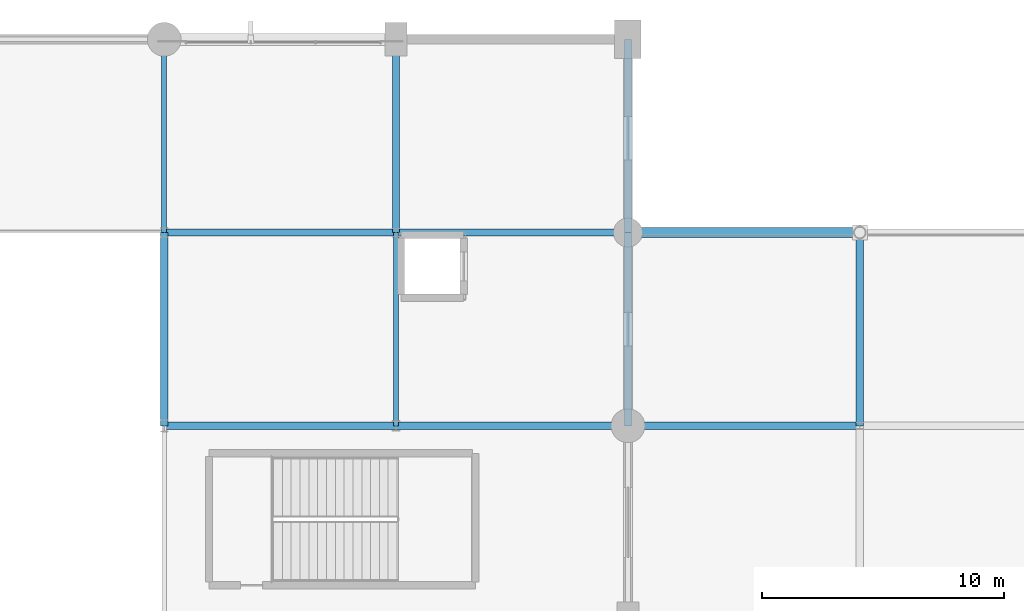
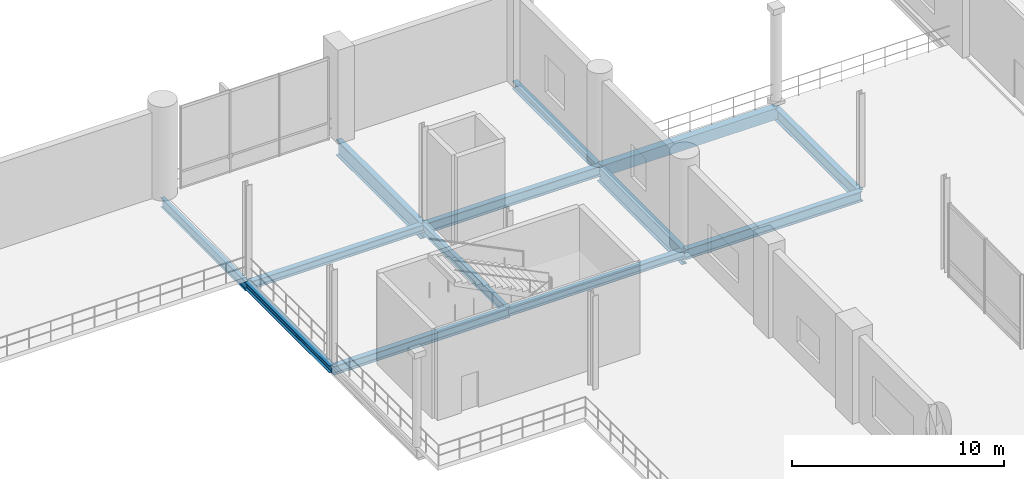
# One storey, part 66 of 129: 13 beams.
"""IFC4 building model written with IfcOpenShell, lengths in metres."""

import ifcopenshell
import ifcopenshell.guid

model = None  # the IFC model being written
_history = None  # IfcOwnerHistory: only IFC2X3 demands one
_inside = {}  # id of a spatial element -> (the spatial element, [elements in it])
_under = {}  # id of a project, library or spatial element -> (it, [spatial elements below it])
_declared = {}  # id of a project -> (the project, [libraries it declares])
_typed = {}  # id of a type object -> (the type object, [elements of that type])
_made_of = {}  # id of a material, layer set ... -> (it, [elements and type objects made of it])


def new_model(schema):
    """Start an empty IFC model of exactly this schema.

    Asked for "IFC4X3", IfcOpenShell would pick the latest addendum, in which some entities
    have other attributes; the version numbers below select the first issue.
    IFC2X3 requires an IfcOwnerHistory on every rooted entity: one is made here for all.
    """
    global model, _history
    if schema == "IFC4X3":
        model = ifcopenshell.file(schema_version=(4, 3, 0, 0))
    else:
        model = ifcopenshell.file(schema=schema)
    _inside.clear()
    _under.clear()
    _declared.clear()
    _typed.clear()
    _made_of.clear()
    _history = None
    if model.schema == "IFC2X3":
        org = make("IfcOrganization", Name="unknown")
        user = make(
            "IfcPersonAndOrganization",
            ThePerson=make("IfcPerson", FamilyName="unknown"),
            TheOrganization=org,
        )
        app = make(
            "IfcApplication",
            ApplicationDeveloper=org,
            Version="unknown",
            ApplicationFullName="unknown",
            ApplicationIdentifier="unknown",
        )
        _history = make(
            "IfcOwnerHistory",
            OwningUser=user,
            OwningApplication=app,
            ChangeAction="ADDED",
            CreationDate=0,
        )
    return model


def make(cls, **values):
    """One entity of the class cls with the attributes given. An attribute that is None is left unset."""
    return model.create_entity(
        cls, **{name: value for name, value in values.items() if value is not None}
    )


def rooted(cls, **values):
    """An entity with a GlobalId (a new one), such as an element, a storey or a relation."""
    return make(cls, GlobalId=ifcopenshell.guid.new(), OwnerHistory=_history, **values)


def si_unit(unit_type, name, prefix=None):
    """IfcSIUnit, for example si_unit("LENGTHUNIT", "METRE", prefix="MILLI")."""
    return make("IfcSIUnit", UnitType=unit_type, Prefix=prefix, Name=name)


def assignment(units):
    """IfcUnitAssignment: the units of a project."""
    return None if units is None else make("IfcUnitAssignment", Units=units)


def point(xyz):
    """IfcCartesianPoint."""
    return None if xyz is None else make("IfcCartesianPoint", Coordinates=xyz)


def direction(xyz):
    """IfcDirection."""
    return None if xyz is None else make("IfcDirection", DirectionRatios=xyz)


def frame(location, z_axis=None, x_axis=None):
    """IfcAxis2Placement3D, a coordinate frame: its origin and axes. An axis left out is left unset."""
    return make(
        "IfcAxis2Placement3D",
        Location=point(location),
        Axis=direction(z_axis),
        RefDirection=direction(x_axis),
    )


def frame_2d(location, x_axis=None):
    """IfcAxis2Placement2D, a coordinate frame in the plane: its origin and x axis."""
    return make(
        "IfcAxis2Placement2D", Location=point(location), RefDirection=direction(x_axis)
    )


def origin():
    """The frame at (0, 0, 0) with its axes left unset."""
    return frame((0.0, 0.0, 0.0))


def origin_2d():
    """The frame at (0, 0) in the plane with its x axis left unset."""
    return frame_2d((0.0, 0.0))


def place(relative_to, where):
    """IfcLocalPlacement: puts the frame where relative to a parent placement (None: the world)."""
    return make(
        "IfcLocalPlacement", PlacementRelTo=relative_to, RelativePlacement=where
    )


def context(
    kind, dimensions, precision=None, world=None, true_north=None, identifier=None
):
    """IfcGeometricRepresentationContext, for example the 3D "Model" context."""
    return make(
        "IfcGeometricRepresentationContext",
        ContextIdentifier=identifier,
        ContextType=kind,
        CoordinateSpaceDimension=dimensions,
        Precision=precision,
        WorldCoordinateSystem=world,
        TrueNorth=true_north,
    )


def subcontext(parent, identifier, kind, view, scale=None):
    """IfcGeometricRepresentationSubContext, for example "Body" below "Model"."""
    return make(
        "IfcGeometricRepresentationSubContext",
        ContextIdentifier=identifier,
        ContextType=kind,
        ParentContext=parent,
        TargetScale=scale,
        TargetView=view,
    )


def project(units=None, contexts=None):
    """IfcProject with its units and contexts."""
    return rooted(
        "IfcProject",
        Name="project",
        RepresentationContexts=contexts,
        UnitsInContext=assignment(units),
    )


def spatial(cls, under=None, at=None, **own):
    """A site, building, storey or space (cls), placed at a placement, below another one or the project."""
    s = rooted(cls, ObjectPlacement=at, **own)
    if under is not None:
        _under.setdefault(under.id(), (under, []))[1].append(s)
    return s


def profile(cls, at=None, kind="AREA", **sizes):
    """A parametric profile (cls). Its sizes go by their IFC names, for example OverallWidth=200.0."""
    return make(cls, ProfileType=kind, Position=at, **sizes)


def rectangle(**sizes):
    """IfcRectangleProfileDef."""
    return profile("IfcRectangleProfileDef", **sizes)


def i_section(**sizes):
    """IfcIShapeProfileDef."""
    return profile("IfcIShapeProfileDef", **sizes)


def extrude(swept, where, along, depth):
    """IfcExtrudedAreaSolid: the profile swept, set in the frame where, extruded along a direction by depth."""
    return make(
        "IfcExtrudedAreaSolid",
        SweptArea=swept,
        Position=where,
        ExtrudedDirection=direction(along),
        Depth=depth,
    )


def shape(context_of_items, identifier, shape_type, items):
    """IfcShapeRepresentation: the items that make up one representation, for example the "Body"."""
    return make(
        "IfcShapeRepresentation",
        ContextOfItems=context_of_items,
        RepresentationIdentifier=identifier,
        RepresentationType=shape_type,
        Items=items,
    )


def material(Name=None, Category=None):
    """IfcMaterial."""
    return make("IfcMaterial", Name=Name, Category=Category)


def material_profile(
    of_material, cross_section, Name=None, Category=None, Priority=None
):
    """IfcMaterialProfile: a cross section and its material."""
    return make(
        "IfcMaterialProfile",
        Name=Name,
        Material=of_material,
        Profile=cross_section,
        Priority=Priority,
        Category=Category,
    )


def profile_set(profiles, Name=None, composite=None):
    """IfcMaterialProfileSet."""
    return make(
        "IfcMaterialProfileSet",
        Name=Name,
        MaterialProfiles=profiles,
        CompositeProfile=composite,
    )


def made_of(thing, what):
    """Note that an element or type object is made of a material, layer set ...; save() writes the relation."""
    if what is not None:
        _made_of.setdefault(what.id(), (what, []))[1].append(thing)
    return thing


def type_object(cls, material=None, **own):
    """A type object (cls), such as IfcWallType, which elements share."""
    return made_of(rooted(cls, **own), material)


def element(
    cls,
    number,
    at=None,
    inside=None,
    cuts=None,
    type_object=None,
    material=None,
    context=None,
    identifier="Body",
    shape_type=None,
    held_by="IfcProductDefinitionShape",
    body=None,
    shapes=None,
    **own,
):
    """One element of the class cls, such as IfcWall. Its Tag is "e" and its number.

    at: its placement. inside: the storey or other place that contains it. cuts: it is an
    opening in that element (IfcRelVoidsElement). A single representation is given by context,
    identifier, shape_type and body (its items); several are given by shapes. held_by: the class
    of the entity that holds the representations. save() writes the other relations.
    """
    e = rooted(cls, Tag="e%d" % number, ObjectPlacement=at, **own)
    if body is not None:
        shapes = [shape(context, identifier, shape_type, body)]
    if shapes is not None:
        e.Representation = make(held_by, Representations=shapes)
    if inside is not None:
        _inside.setdefault(inside.id(), (inside, []))[1].append(e)
    if cuts is not None:
        rooted(
            "IfcRelVoidsElement", RelatingBuildingElement=cuts, RelatedOpeningElement=e
        )
    if type_object is not None:
        _typed.setdefault(type_object.id(), (type_object, []))[1].append(e)
    return made_of(e, material)


def aggregate(whole, parts):
    """IfcRelAggregates: a whole, such as a stair, and the parts it consists of."""
    return rooted("IfcRelAggregates", RelatingObject=whole, RelatedObjects=parts)


def save(model, path):
    """Write the relations noted so far, then the file.

    IfcRelAggregates (storeys below a building ...), IfcRelContainedInSpatialStructure (elements
    in a storey), IfcRelDefinesByType, IfcRelAssociatesMaterial and IfcRelDeclares: one each for
    every whole, place, type object, material and project.
    """
    for whole, parts in _under.values():
        aggregate(whole, parts)
    for where, things in _inside.values():
        rooted(
            "IfcRelContainedInSpatialStructure",
            RelatedElements=things,
            RelatingStructure=where,
        )
    for kind, things in _typed.values():
        rooted("IfcRelDefinesByType", RelatedObjects=things, RelatingType=kind)
    for what, things in _made_of.values():
        rooted("IfcRelAssociatesMaterial", RelatedObjects=things, RelatingMaterial=what)
    for by, libraries in _declared.values():
        rooted("IfcRelDeclares", RelatingContext=by, RelatedDefinitions=libraries)
    model.write(path)


model = new_model("IFC4")

# Units and contexts
model_context = context("Model", 3, precision=1e-05, world=origin(), true_north=direction((0.0, 1.0)))
body_context = subcontext(model_context, "Body", "Model", "MODEL_VIEW")
ifc_project = project(units=[si_unit("LENGTHUNIT", "METRE"), si_unit("AREAUNIT", "SQUARE_METRE"), si_unit("VOLUMEUNIT", "CUBIC_METRE"), si_unit("PLANEANGLEUNIT", "RADIAN"), si_unit("MASSUNIT", "GRAM", prefix="KILO")], contexts=[model_context])

# Site, building, storey
site_placement = place(None, origin())
site = spatial("IfcSite", under=ifc_project, at=site_placement, CompositionType="ELEMENT")
building_placement = place(site_placement, origin())
building = spatial("IfcBuilding", under=site, at=building_placement, Name="Danafjord Basin Convention Centre", CompositionType="ELEMENT")
storey_placement = place(building_placement, frame((0.0, 0.0, 6.0)))
storey = spatial("IfcBuildingStorey", under=building, at=storey_placement, Name="L01", CompositionType="ELEMENT", Elevation=6.0)

# Beams
ifc_material_1 = material(Name="Steel S355", Category="steel")
ifc_material_profile_1 = material_profile(ifc_material_1, i_section(OverallWidth=0.300048828125, OverallDepth=0.590087890625, WebThickness=0.012939453125, FlangeThickness=0.02490234375, FilletRadius=0.027099609375, at=origin_2d()), Name="HEA 600")
ifc_profile_set_1 = profile_set([ifc_material_profile_1], Name="Steel S355")
beam_type_1 = type_object("IfcBeamType", Name="BEAM-BM-HEA600", PredefinedType="BEAM", material=ifc_profile_set_1)
beam_1_placement = place(storey_placement, frame((105.60009765625, 136.0, -0.544921875), z_axis=(1.0, 0.0, 0.0), x_axis=(0.0, 1.0, 0.0)))
element("IfcBeam", 1, at=beam_1_placement, inside=storey, type_object=beam_type_1, Name="L01 girder BM-HEA600", PredefinedType="BEAM", context=body_context, shape_type="SweptSolid", body=[
    extrude(i_section(OverallWidth=0.300048828125, OverallDepth=0.590087890625, WebThickness=0.012939453125, FlangeThickness=0.02490234375, FilletRadius=0.027099609375, at=origin_2d()), origin(), (0.0, 0.0, 1.0), 9.599853515625),
])
beam_2_placement = place(storey_placement, frame((115.199951171875, 128.0, -0.52490234375), z_axis=(1.0, 0.0, 0.0), x_axis=(0.0, 1.0, 0.0)))
element("IfcBeam", 2, at=beam_2_placement, inside=storey, type_object=beam_type_1, Name="L01 girder BM-HEA600", PredefinedType="BEAM", context=body_context, shape_type="SweptSolid", body=[
    extrude(i_section(OverallWidth=0.300048828125, OverallDepth=0.590087890625, WebThickness=0.012939453125, FlangeThickness=0.02490234375, FilletRadius=0.027099609375, at=origin_2d()), origin(), (0.0, 0.0, 1.0), 9.60009765625),
])
ifc_material_profile_2 = material_profile(ifc_material_1, i_section(OverallWidth=0.300048828125, OverallDepth=0.449951171875, WebThickness=0.013916015625, FlangeThickness=0.02587890625, FilletRadius=0.027099609375, at=origin_2d()), Name="HEB 450")
ifc_profile_set_2 = profile_set([ifc_material_profile_2], Name="Steel S355")
beam_type_2 = type_object("IfcBeamType", Name="BEAM-BM-HEB450", PredefinedType="BEAM", material=ifc_profile_set_2)
beam_3_placement = place(storey_placement, frame((96.0, 136.0, -0.47509765625), z_axis=(1.0, 0.0, 0.0), x_axis=(0.0, 1.0, 0.0)))
element("IfcBeam", 3, at=beam_3_placement, inside=storey, type_object=beam_type_2, Name="L01 girder BM-HEB450", PredefinedType="BEAM", context=body_context, shape_type="SweptSolid", body=[
    extrude(i_section(OverallWidth=0.300048828125, OverallDepth=0.449951171875, WebThickness=0.013916015625, FlangeThickness=0.02587890625, FilletRadius=0.027099609375, at=origin_2d()), origin(), (0.0, 0.0, 1.0), 9.60009765625),
])
beam_4_placement = place(storey_placement, frame((105.60009765625, 128.0, -0.47509765625), z_axis=(1.0, 0.0, 0.0), x_axis=(0.0, 1.0, 0.0)))
element("IfcBeam", 4, at=beam_4_placement, inside=storey, type_object=beam_type_2, Name="L01 girder BM-HEB450", PredefinedType="BEAM", context=body_context, shape_type="SweptSolid", body=[
    extrude(i_section(OverallWidth=0.300048828125, OverallDepth=0.449951171875, WebThickness=0.013916015625, FlangeThickness=0.02587890625, FilletRadius=0.027099609375, at=origin_2d()), origin(), (0.0, 0.0, 1.0), 9.599853515625),
])
ifc_material_profile_3 = material_profile(ifc_material_1, i_section(OverallWidth=0.300048828125, OverallDepth=0.5, WebThickness=0.014404296875, FlangeThickness=0.028076171875, FilletRadius=0.027099609375, at=origin_2d()), Name="HEB 500")
ifc_profile_set_3 = profile_set([ifc_material_profile_3], Name="Steel S355")
beam_type_3 = type_object("IfcBeamType", Name="BEAM-BM-HEB500", PredefinedType="BEAM", material=ifc_profile_set_3)
beam_5_placement = place(storey_placement, frame((96.0, 128.0, -0.5), z_axis=(1.0, 0.0, 0.0), x_axis=(0.0, 1.0, 0.0)))
element("IfcBeam", 5, at=beam_5_placement, inside=storey, type_object=beam_type_3, Name="L01 girder BM-HEB500", PredefinedType="BEAM", context=body_context, shape_type="SweptSolid", body=[
    extrude(i_section(OverallWidth=0.300048828125, OverallDepth=0.5, WebThickness=0.014404296875, FlangeThickness=0.028076171875, FilletRadius=0.027099609375, at=origin_2d()), origin(), (0.0, 0.0, 1.0), 9.60009765625),
])
ifc_material_profile_4 = material_profile(ifc_material_1, i_section(OverallWidth=0.300048828125, OverallDepth=0.699951171875, WebThickness=0.01708984375, FlangeThickness=0.031982421875, FilletRadius=0.027099609375, at=origin_2d()), Name="HEB 700")
ifc_profile_set_4 = profile_set([ifc_material_profile_4], Name="Steel S355")
beam_type_4 = type_object("IfcBeamType", Name="BEAM-BM-HEB700", PredefinedType="BEAM", material=ifc_profile_set_4)
beam_6_placement = place(storey_placement, frame((124.800048828125, 128.0, -0.580078125), z_axis=(0.0, 1.0, 0.0), x_axis=(-1.0, 0.0, 0.0)))
element("IfcBeam", 6, at=beam_6_placement, inside=storey, type_object=beam_type_4, Name="L01 transverse girder BM-HEB700", PredefinedType="BEAM", context=body_context, shape_type="SweptSolid", body=[
    extrude(i_section(OverallWidth=0.300048828125, OverallDepth=0.699951171875, WebThickness=0.01708984375, FlangeThickness=0.031982421875, FilletRadius=0.027099609375, at=origin_2d()), origin(), (0.0, 0.0, 1.0), 8.0),
])
ifc_material_profile_5 = material_profile(ifc_material_1, i_section(OverallWidth=0.300048828125, OverallDepth=0.89990234375, WebThickness=0.0185546875, FlangeThickness=0.034912109375, FilletRadius=0.030029296875, at=origin_2d()), Name="HEB 900")
ifc_profile_set_5 = profile_set([ifc_material_profile_5], Name="Steel S355")
beam_type_5 = type_object("IfcBeamType", Name="BEAM-BM-HEB900", PredefinedType="BEAM", material=ifc_profile_set_5)
for number, where, z_axis, x_axis, name in (
    (7, (105.60009765625, 136.0, -0.699951171875), (0.0, 1.0, 0.0), (-1.0, 0.0, 0.0), "L01 transverse girder BM-HEB900"),
    (8, (115.199951171875, 128.0, -0.699951171875), (0.0, 1.0, 0.0), (-1.0, 0.0, 0.0), "L01 transverse girder BM-HEB900"),
):
    element("IfcBeam", number, at=place(storey_placement, frame(where, z_axis=z_axis, x_axis=x_axis)), inside=storey, type_object=beam_type_5, Name=name, PredefinedType="BEAM", context=body_context, shape_type="SweptSolid", body=[
        extrude(i_section(OverallWidth=0.300048828125, OverallDepth=0.89990234375, WebThickness=0.0185546875, FlangeThickness=0.034912109375, FilletRadius=0.030029296875, at=origin_2d()), origin(), (0.0, 0.0, 1.0), 8.0),
    ])
ifc_material_profile_6 = material_profile(ifc_material_1, i_section(OverallWidth=0.2099609375, OverallDepth=0.550048828125, WebThickness=0.010986328125, FlangeThickness=0.01708984375, FilletRadius=0.02392578125, at=origin_2d()), Name="IPE 550")
ifc_profile_set_6 = profile_set([ifc_material_profile_6], Name="Steel S355")
beam_type_6 = type_object("IfcBeamType", Name="BEAM-BM-IPE550", PredefinedType="BEAM", material=ifc_profile_set_6)
for number, where, z_axis, x_axis, name in (
    (9, (96.0, 136.0, -0.52490234375), (0.0, 1.0, 0.0), (-1.0, 0.0, 0.0), "L01 transverse girder BM-IPE550"),
    (10, (105.60009765625, 128.0, -0.52490234375), (0.0, 1.0, 0.0), (-1.0, 0.0, 0.0), "L01 transverse girder BM-IPE550"),
):
    element("IfcBeam", number, at=place(storey_placement, frame(where, z_axis=z_axis, x_axis=x_axis)), inside=storey, type_object=beam_type_6, Name=name, PredefinedType="BEAM", context=body_context, shape_type="SweptSolid", body=[
        extrude(i_section(OverallWidth=0.2099609375, OverallDepth=0.550048828125, WebThickness=0.010986328125, FlangeThickness=0.01708984375, FilletRadius=0.02392578125, at=origin_2d()), origin(), (0.0, 0.0, 1.0), 8.0),
    ])
ifc_material_profile_7 = material_profile(ifc_material_1, i_section(OverallWidth=0.300048828125, OverallDepth=0.39990234375, WebThickness=0.013427734375, FlangeThickness=0.02392578125, FilletRadius=0.027099609375, at=origin_2d()), Name="HEB 400")
ifc_profile_set_7 = profile_set([ifc_material_profile_7], Name="Steel S355")
beam_type_7 = type_object("IfcBeamType", Name="BEAM-SP-HEB400", PredefinedType="SPANDREL", material=ifc_profile_set_7)
beam_7_placement = place(storey_placement, frame((96.0, 128.0, -0.449951171875), z_axis=(0.0, 1.0, 0.0), x_axis=(-1.0, 0.0, 0.0)))
element("IfcBeam", 11, at=beam_7_placement, inside=storey, type_object=beam_type_7, Name="L01 transverse girder SP-HEB400", PredefinedType="SPANDREL", context=body_context, shape_type="SweptSolid", body=[
    extrude(i_section(OverallWidth=0.300048828125, OverallDepth=0.39990234375, WebThickness=0.013427734375, FlangeThickness=0.02392578125, FilletRadius=0.027099609375, at=origin_2d()), origin(), (0.0, 0.0, 1.0), 8.0),
])
ifc_material_profile_8 = material_profile(ifc_material_1, i_section(OverallWidth=0.300048828125, OverallDepth=0.449951171875, WebThickness=0.013916015625, FlangeThickness=0.02587890625, FilletRadius=0.027099609375, at=origin_2d()), Name="HEB 450")
ifc_profile_set_8 = profile_set([ifc_material_profile_8], Name="Steel S355")
beam_type_8 = type_object("IfcBeamType", Name="BEAM-SP-HEB450", PredefinedType="SPANDREL", material=ifc_profile_set_8)
beam_8_placement = place(storey_placement, frame((115.199951171875, 136.0, -0.47509765625), z_axis=(0.0, 1.0, 0.0), x_axis=(-1.0, 0.0, 0.0)))
element("IfcBeam", 12, at=beam_8_placement, inside=storey, type_object=beam_type_8, Name="L01 transverse girder SP-HEB450", PredefinedType="SPANDREL", context=body_context, shape_type="SweptSolid", body=[
    extrude(i_section(OverallWidth=0.300048828125, OverallDepth=0.449951171875, WebThickness=0.013916015625, FlangeThickness=0.02587890625, FilletRadius=0.027099609375, at=origin_2d()), origin(), (0.0, 0.0, 1.0), 8.0),
])
ifc_material_2 = material(Name="Precast concrete C45/55", Category="concrete")
ifc_material_profile_9 = material_profile(ifc_material_2, rectangle(XDim=0.39990234375, YDim=0.64990234375, at=origin_2d()), Name="PCB 400x650")
ifc_profile_set_9 = profile_set([ifc_material_profile_9], Name="Precast concrete C45/55")
beam_type_9 = type_object("IfcBeamType", Name="BEAM-SP-PCB650", PredefinedType="SPANDREL", material=ifc_profile_set_9)
beam_9_placement = place(storey_placement, frame((115.199951171875, 136.0, -0.554931640625), z_axis=(1.0, 0.0, 0.0), x_axis=(0.0, 1.0, 0.0)))
element("IfcBeam", 13, at=beam_9_placement, inside=storey, type_object=beam_type_9, Name="L01 girder SP-PCB650", PredefinedType="SPANDREL", context=body_context, shape_type="SweptSolid", body=[
    extrude(rectangle(XDim=0.39990234375, YDim=0.64990234375, at=origin_2d()), origin(), (0.0, 0.0, 1.0), 9.60009765625),
])

save(model, "model.ifc")
